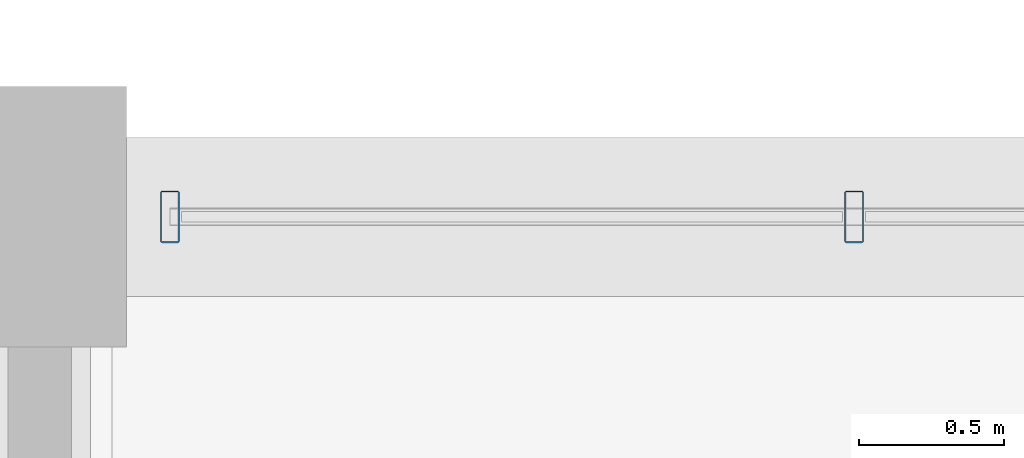
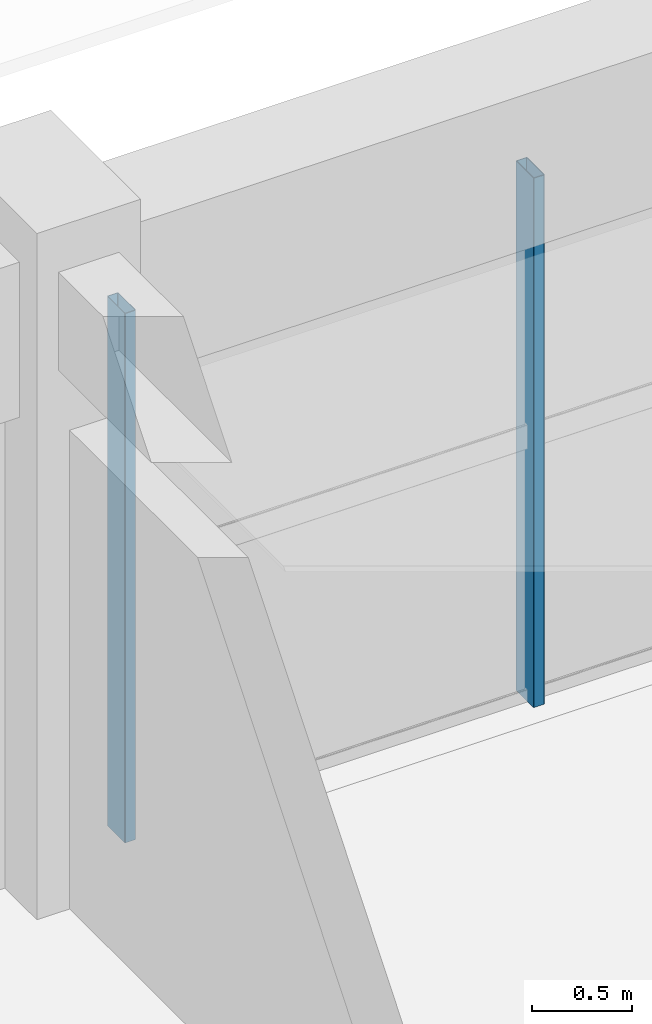
# One storey, part 27 of 63: 2 members, 1 element without a shape of its own.
"""IFC4 building model written with IfcOpenShell, lengths in metres."""

import ifcopenshell
import ifcopenshell.guid

model = None  # the IFC model being written
_history = None  # IfcOwnerHistory: only IFC2X3 demands one
_inside = {}  # id of a spatial element -> (the spatial element, [elements in it])
_under = {}  # id of a project, library or spatial element -> (it, [spatial elements below it])
_declared = {}  # id of a project -> (the project, [libraries it declares])
_typed = {}  # id of a type object -> (the type object, [elements of that type])
_made_of = {}  # id of a material, layer set ... -> (it, [elements and type objects made of it])


def new_model(schema):
    """Start an empty IFC model of exactly this schema.

    Asked for "IFC4X3", IfcOpenShell would pick the latest addendum, in which some entities
    have other attributes; the version numbers below select the first issue.
    IFC2X3 requires an IfcOwnerHistory on every rooted entity: one is made here for all.
    """
    global model, _history
    if schema == "IFC4X3":
        model = ifcopenshell.file(schema_version=(4, 3, 0, 0))
    else:
        model = ifcopenshell.file(schema=schema)
    _inside.clear()
    _under.clear()
    _declared.clear()
    _typed.clear()
    _made_of.clear()
    _history = None
    if model.schema == "IFC2X3":
        org = make("IfcOrganization", Name="unknown")
        user = make(
            "IfcPersonAndOrganization",
            ThePerson=make("IfcPerson", FamilyName="unknown"),
            TheOrganization=org,
        )
        app = make(
            "IfcApplication",
            ApplicationDeveloper=org,
            Version="unknown",
            ApplicationFullName="unknown",
            ApplicationIdentifier="unknown",
        )
        _history = make(
            "IfcOwnerHistory",
            OwningUser=user,
            OwningApplication=app,
            ChangeAction="ADDED",
            CreationDate=0,
        )
    return model


def make(cls, **values):
    """One entity of the class cls with the attributes given. An attribute that is None is left unset."""
    return model.create_entity(
        cls, **{name: value for name, value in values.items() if value is not None}
    )


def rooted(cls, **values):
    """An entity with a GlobalId (a new one), such as an element, a storey or a relation."""
    return make(cls, GlobalId=ifcopenshell.guid.new(), OwnerHistory=_history, **values)


def si_unit(unit_type, name, prefix=None):
    """IfcSIUnit, for example si_unit("LENGTHUNIT", "METRE", prefix="MILLI")."""
    return make("IfcSIUnit", UnitType=unit_type, Prefix=prefix, Name=name)


def assignment(units):
    """IfcUnitAssignment: the units of a project."""
    return None if units is None else make("IfcUnitAssignment", Units=units)


def point(xyz):
    """IfcCartesianPoint."""
    return None if xyz is None else make("IfcCartesianPoint", Coordinates=xyz)


def direction(xyz):
    """IfcDirection."""
    return None if xyz is None else make("IfcDirection", DirectionRatios=xyz)


def frame(location, z_axis=None, x_axis=None):
    """IfcAxis2Placement3D, a coordinate frame: its origin and axes. An axis left out is left unset."""
    return make(
        "IfcAxis2Placement3D",
        Location=point(location),
        Axis=direction(z_axis),
        RefDirection=direction(x_axis),
    )


def frame_2d(location, x_axis=None):
    """IfcAxis2Placement2D, a coordinate frame in the plane: its origin and x axis."""
    return make(
        "IfcAxis2Placement2D", Location=point(location), RefDirection=direction(x_axis)
    )


def origin():
    """The frame at (0, 0, 0) with its axes left unset."""
    return frame((0.0, 0.0, 0.0))


def origin_2d():
    """The frame at (0, 0) in the plane with its x axis left unset."""
    return frame_2d((0.0, 0.0))


def place(relative_to, where):
    """IfcLocalPlacement: puts the frame where relative to a parent placement (None: the world)."""
    return make(
        "IfcLocalPlacement", PlacementRelTo=relative_to, RelativePlacement=where
    )


def context(
    kind, dimensions, precision=None, world=None, true_north=None, identifier=None
):
    """IfcGeometricRepresentationContext, for example the 3D "Model" context."""
    return make(
        "IfcGeometricRepresentationContext",
        ContextIdentifier=identifier,
        ContextType=kind,
        CoordinateSpaceDimension=dimensions,
        Precision=precision,
        WorldCoordinateSystem=world,
        TrueNorth=true_north,
    )


def subcontext(parent, identifier, kind, view, scale=None):
    """IfcGeometricRepresentationSubContext, for example "Body" below "Model"."""
    return make(
        "IfcGeometricRepresentationSubContext",
        ContextIdentifier=identifier,
        ContextType=kind,
        ParentContext=parent,
        TargetScale=scale,
        TargetView=view,
    )


def project(units=None, contexts=None):
    """IfcProject with its units and contexts."""
    return rooted(
        "IfcProject",
        Name="project",
        RepresentationContexts=contexts,
        UnitsInContext=assignment(units),
    )


def spatial(cls, under=None, at=None, **own):
    """A site, building, storey or space (cls), placed at a placement, below another one or the project."""
    s = rooted(cls, ObjectPlacement=at, **own)
    if under is not None:
        _under.setdefault(under.id(), (under, []))[1].append(s)
    return s


def profile(cls, at=None, kind="AREA", **sizes):
    """A parametric profile (cls). Its sizes go by their IFC names, for example OverallWidth=200.0."""
    return make(cls, ProfileType=kind, Position=at, **sizes)


def hollow_rectangle(**sizes):
    """IfcRectangleHollowProfileDef."""
    return profile("IfcRectangleHollowProfileDef", **sizes)


def extrude(swept, where, along, depth):
    """IfcExtrudedAreaSolid: the profile swept, set in the frame where, extruded along a direction by depth."""
    return make(
        "IfcExtrudedAreaSolid",
        SweptArea=swept,
        Position=where,
        ExtrudedDirection=direction(along),
        Depth=depth,
    )


def shape(context_of_items, identifier, shape_type, items):
    """IfcShapeRepresentation: the items that make up one representation, for example the "Body"."""
    return make(
        "IfcShapeRepresentation",
        ContextOfItems=context_of_items,
        RepresentationIdentifier=identifier,
        RepresentationType=shape_type,
        Items=items,
    )


def material(Name=None, Category=None):
    """IfcMaterial."""
    return make("IfcMaterial", Name=Name, Category=Category)


def material_profile(
    of_material, cross_section, Name=None, Category=None, Priority=None
):
    """IfcMaterialProfile: a cross section and its material."""
    return make(
        "IfcMaterialProfile",
        Name=Name,
        Material=of_material,
        Profile=cross_section,
        Priority=Priority,
        Category=Category,
    )


def profile_set(profiles, Name=None, composite=None):
    """IfcMaterialProfileSet."""
    return make(
        "IfcMaterialProfileSet",
        Name=Name,
        MaterialProfiles=profiles,
        CompositeProfile=composite,
    )


def made_of(thing, what):
    """Note that an element or type object is made of a material, layer set ...; save() writes the relation."""
    if what is not None:
        _made_of.setdefault(what.id(), (what, []))[1].append(thing)
    return thing


def type_object(cls, material=None, **own):
    """A type object (cls), such as IfcWallType, which elements share."""
    return made_of(rooted(cls, **own), material)


def element(
    cls,
    number,
    at=None,
    inside=None,
    cuts=None,
    type_object=None,
    material=None,
    context=None,
    identifier="Body",
    shape_type=None,
    held_by="IfcProductDefinitionShape",
    body=None,
    shapes=None,
    **own,
):
    """One element of the class cls, such as IfcWall. Its Tag is "e" and its number.

    at: its placement. inside: the storey or other place that contains it. cuts: it is an
    opening in that element (IfcRelVoidsElement). A single representation is given by context,
    identifier, shape_type and body (its items); several are given by shapes. held_by: the class
    of the entity that holds the representations. save() writes the other relations.
    """
    e = rooted(cls, Tag="e%d" % number, ObjectPlacement=at, **own)
    if body is not None:
        shapes = [shape(context, identifier, shape_type, body)]
    if shapes is not None:
        e.Representation = make(held_by, Representations=shapes)
    if inside is not None:
        _inside.setdefault(inside.id(), (inside, []))[1].append(e)
    if cuts is not None:
        rooted(
            "IfcRelVoidsElement", RelatingBuildingElement=cuts, RelatedOpeningElement=e
        )
    if type_object is not None:
        _typed.setdefault(type_object.id(), (type_object, []))[1].append(e)
    return made_of(e, material)


def aggregate(whole, parts):
    """IfcRelAggregates: a whole, such as a stair, and the parts it consists of."""
    return rooted("IfcRelAggregates", RelatingObject=whole, RelatedObjects=parts)


def save(model, path):
    """Write the relations noted so far, then the file.

    IfcRelAggregates (storeys below a building ...), IfcRelContainedInSpatialStructure (elements
    in a storey), IfcRelDefinesByType, IfcRelAssociatesMaterial and IfcRelDeclares: one each for
    every whole, place, type object, material and project.
    """
    for whole, parts in _under.values():
        aggregate(whole, parts)
    for where, things in _inside.values():
        rooted(
            "IfcRelContainedInSpatialStructure",
            RelatedElements=things,
            RelatingStructure=where,
        )
    for kind, things in _typed.values():
        rooted("IfcRelDefinesByType", RelatedObjects=things, RelatingType=kind)
    for what, things in _made_of.values():
        rooted("IfcRelAssociatesMaterial", RelatedObjects=things, RelatingMaterial=what)
    for by, libraries in _declared.values():
        rooted("IfcRelDeclares", RelatingContext=by, RelatedDefinitions=libraries)
    model.write(path)


model = new_model("IFC4")

# Units and contexts
model_context = context("Model", 3, precision=1e-05, world=origin(), true_north=direction((0.0, 1.0)))
body_context = subcontext(model_context, "Body", "Model", "MODEL_VIEW")
ifc_project = project(units=[si_unit("LENGTHUNIT", "METRE"), si_unit("AREAUNIT", "SQUARE_METRE"), si_unit("VOLUMEUNIT", "CUBIC_METRE"), si_unit("PLANEANGLEUNIT", "RADIAN"), si_unit("MASSUNIT", "GRAM", prefix="KILO")], contexts=[model_context])

# Site, building, storey
site_placement = place(None, origin())
site = spatial("IfcSite", under=ifc_project, at=site_placement, CompositionType="ELEMENT")
building_placement = place(site_placement, origin())
building = spatial("IfcBuilding", under=site, at=building_placement, Name="Varnabhumi Central Station", CompositionType="ELEMENT")
storey_placement = place(building_placement, frame((0.0, 0.0, 20.39990234375)))
storey = spatial("IfcBuildingStorey", under=building, at=storey_placement, Name="L04", CompositionType="ELEMENT", Elevation=20.39990234375)

# Curtain wall, members
ifc_material = material(Name="Anodised aluminium 6063-T6", Category="aluminium")
curtain_wall_type = type_object("IfcCurtainWallType", Name="CW-SPINE-SCREEN-L0", PredefinedType="NOTDEFINED", material=ifc_material)
curtain_wall_placement = place(storey_placement, origin())
curtain_wall = element("IfcCurtainWall", 1, at=curtain_wall_placement, inside=storey, type_object=curtain_wall_type, Name="Curtain Wall CW-SS415", PredefinedType="NOTDEFINED")
ifc_material_profile = material_profile(ifc_material, hollow_rectangle(XDim=0.06494140625, YDim=0.179931640625, WallThickness=0.00390625, InnerFilletRadius=0.001953125, OuterFilletRadius=0.006103515625, at=origin_2d()), Name="Anodised aluminium 6063-T6", Category="aluminium")
ifc_profile_set = profile_set([ifc_material_profile], Name="Anodised aluminium 6063-T6")
member_type = type_object("IfcMemberType", Name="CW-MUL-180", PredefinedType="MULLION", material=ifc_profile_set)
member_1_placement = place(storey_placement, frame((152.449951171875, 36.0, 0.0), z_axis=(0.0, 0.0, 1.0), x_axis=(1.0, 0.0, 0.0)))
member_1 = element("IfcMember", 2, at=member_1_placement, type_object=member_type, Name="Curtain Wall Mullion CW-SS415-M1", PredefinedType="MULLION", context=body_context, shape_type="SweptSolid", body=[
    extrude(hollow_rectangle(XDim=0.06494140625, YDim=0.179931640625, WallThickness=0.00390625, InnerFilletRadius=0.001953125, OuterFilletRadius=0.006103515625, at=origin_2d()), origin(), (0.0, 0.0, 1.0), 3.239990234375),
])
member_2_placement = place(storey_placement, frame((154.816650390625, 36.0, 0.0), z_axis=(0.0, 0.0, 1.0), x_axis=(1.0, 0.0, 0.0)))
member_2 = element("IfcMember", 3, at=member_2_placement, type_object=member_type, Name="Curtain Wall Mullion CW-SS415-M2", PredefinedType="MULLION", context=body_context, shape_type="SweptSolid", body=[
    extrude(hollow_rectangle(XDim=0.06494140625, YDim=0.179931640625, WallThickness=0.00390625, InnerFilletRadius=0.001953125, OuterFilletRadius=0.006103515625, at=origin_2d()), origin(), (0.0, 0.0, 1.0), 3.239990234375),
])
aggregate(curtain_wall, [member_1, member_2])

save(model, "model.ifc")
